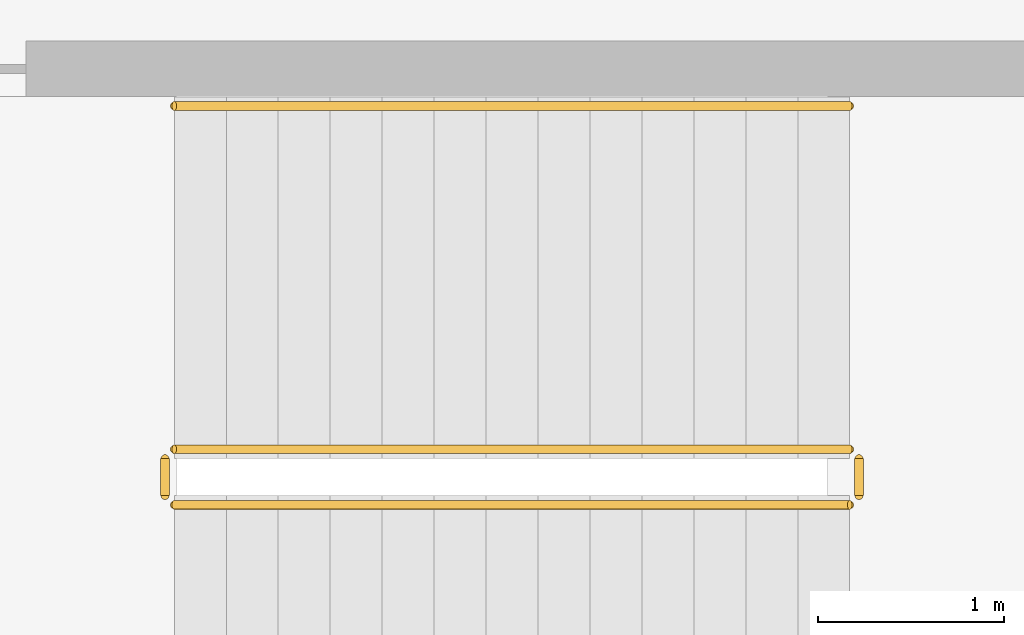
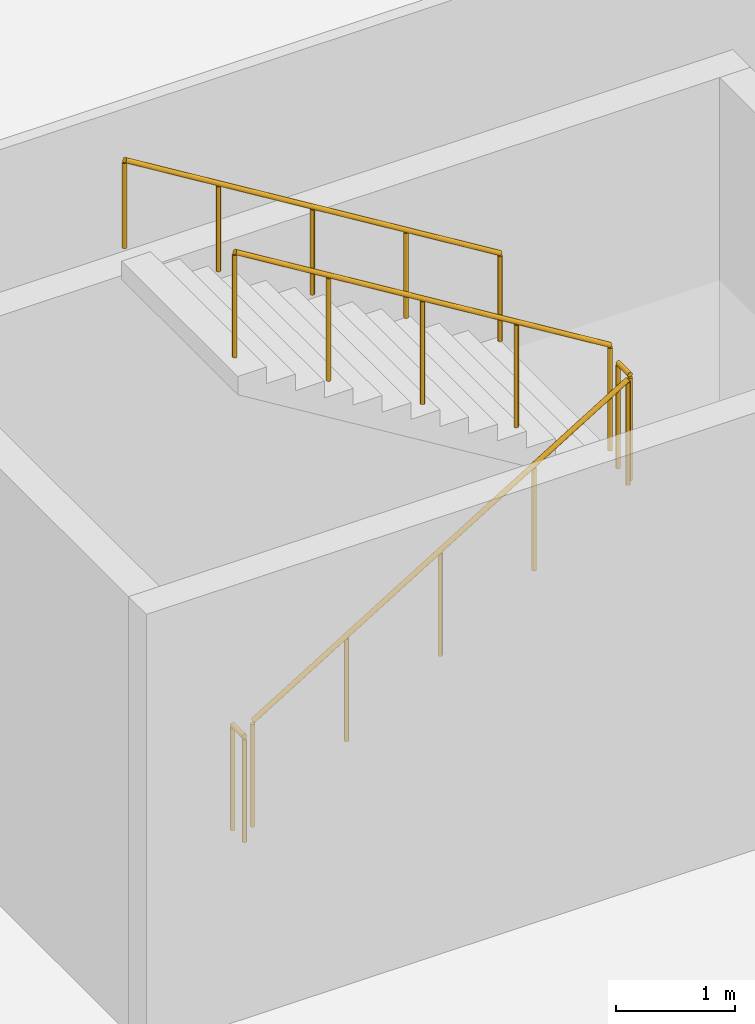
# One storey, part 173 of 177: 5 railings.
"""IFC4 building model written with IfcOpenShell, lengths in metres."""

import ifcopenshell
import ifcopenshell.guid

model = None  # the IFC model being written
_history = None  # IfcOwnerHistory: only IFC2X3 demands one
_inside = {}  # id of a spatial element -> (the spatial element, [elements in it])
_under = {}  # id of a project, library or spatial element -> (it, [spatial elements below it])
_declared = {}  # id of a project -> (the project, [libraries it declares])
_typed = {}  # id of a type object -> (the type object, [elements of that type])
_made_of = {}  # id of a material, layer set ... -> (it, [elements and type objects made of it])


def new_model(schema):
    """Start an empty IFC model of exactly this schema.

    Asked for "IFC4X3", IfcOpenShell would pick the latest addendum, in which some entities
    have other attributes; the version numbers below select the first issue.
    IFC2X3 requires an IfcOwnerHistory on every rooted entity: one is made here for all.
    """
    global model, _history
    if schema == "IFC4X3":
        model = ifcopenshell.file(schema_version=(4, 3, 0, 0))
    else:
        model = ifcopenshell.file(schema=schema)
    _inside.clear()
    _under.clear()
    _declared.clear()
    _typed.clear()
    _made_of.clear()
    _history = None
    if model.schema == "IFC2X3":
        org = make("IfcOrganization", Name="unknown")
        user = make(
            "IfcPersonAndOrganization",
            ThePerson=make("IfcPerson", FamilyName="unknown"),
            TheOrganization=org,
        )
        app = make(
            "IfcApplication",
            ApplicationDeveloper=org,
            Version="unknown",
            ApplicationFullName="unknown",
            ApplicationIdentifier="unknown",
        )
        _history = make(
            "IfcOwnerHistory",
            OwningUser=user,
            OwningApplication=app,
            ChangeAction="ADDED",
            CreationDate=0,
        )
    return model


def make(cls, **values):
    """One entity of the class cls with the attributes given. An attribute that is None is left unset."""
    return model.create_entity(
        cls, **{name: value for name, value in values.items() if value is not None}
    )


def rooted(cls, **values):
    """An entity with a GlobalId (a new one), such as an element, a storey or a relation."""
    return make(cls, GlobalId=ifcopenshell.guid.new(), OwnerHistory=_history, **values)


def si_unit(unit_type, name, prefix=None):
    """IfcSIUnit, for example si_unit("LENGTHUNIT", "METRE", prefix="MILLI")."""
    return make("IfcSIUnit", UnitType=unit_type, Prefix=prefix, Name=name)


def assignment(units):
    """IfcUnitAssignment: the units of a project."""
    return None if units is None else make("IfcUnitAssignment", Units=units)


def point(xyz):
    """IfcCartesianPoint."""
    return None if xyz is None else make("IfcCartesianPoint", Coordinates=xyz)


def direction(xyz):
    """IfcDirection."""
    return None if xyz is None else make("IfcDirection", DirectionRatios=xyz)


def frame(location, z_axis=None, x_axis=None):
    """IfcAxis2Placement3D, a coordinate frame: its origin and axes. An axis left out is left unset."""
    return make(
        "IfcAxis2Placement3D",
        Location=point(location),
        Axis=direction(z_axis),
        RefDirection=direction(x_axis),
    )


def frame_2d(location, x_axis=None):
    """IfcAxis2Placement2D, a coordinate frame in the plane: its origin and x axis."""
    return make(
        "IfcAxis2Placement2D", Location=point(location), RefDirection=direction(x_axis)
    )


def origin():
    """The frame at (0, 0, 0) with its axes left unset."""
    return frame((0.0, 0.0, 0.0))


def origin_2d():
    """The frame at (0, 0) in the plane with its x axis left unset."""
    return frame_2d((0.0, 0.0))


def place(relative_to, where):
    """IfcLocalPlacement: puts the frame where relative to a parent placement (None: the world)."""
    return make(
        "IfcLocalPlacement", PlacementRelTo=relative_to, RelativePlacement=where
    )


def context(
    kind, dimensions, precision=None, world=None, true_north=None, identifier=None
):
    """IfcGeometricRepresentationContext, for example the 3D "Model" context."""
    return make(
        "IfcGeometricRepresentationContext",
        ContextIdentifier=identifier,
        ContextType=kind,
        CoordinateSpaceDimension=dimensions,
        Precision=precision,
        WorldCoordinateSystem=world,
        TrueNorth=true_north,
    )


def subcontext(parent, identifier, kind, view, scale=None):
    """IfcGeometricRepresentationSubContext, for example "Body" below "Model"."""
    return make(
        "IfcGeometricRepresentationSubContext",
        ContextIdentifier=identifier,
        ContextType=kind,
        ParentContext=parent,
        TargetScale=scale,
        TargetView=view,
    )


def project(units=None, contexts=None):
    """IfcProject with its units and contexts."""
    return rooted(
        "IfcProject",
        Name="project",
        RepresentationContexts=contexts,
        UnitsInContext=assignment(units),
    )


def spatial(cls, under=None, at=None, **own):
    """A site, building, storey or space (cls), placed at a placement, below another one or the project."""
    s = rooted(cls, ObjectPlacement=at, **own)
    if under is not None:
        _under.setdefault(under.id(), (under, []))[1].append(s)
    return s


def profile(cls, at=None, kind="AREA", **sizes):
    """A parametric profile (cls). Its sizes go by their IFC names, for example OverallWidth=200.0."""
    return make(cls, ProfileType=kind, Position=at, **sizes)


def circle(**sizes):
    """IfcCircleProfileDef."""
    return profile("IfcCircleProfileDef", **sizes)


def extrude(swept, where, along, depth):
    """IfcExtrudedAreaSolid: the profile swept, set in the frame where, extruded along a direction by depth."""
    return make(
        "IfcExtrudedAreaSolid",
        SweptArea=swept,
        Position=where,
        ExtrudedDirection=direction(along),
        Depth=depth,
    )


def shape(context_of_items, identifier, shape_type, items):
    """IfcShapeRepresentation: the items that make up one representation, for example the "Body"."""
    return make(
        "IfcShapeRepresentation",
        ContextOfItems=context_of_items,
        RepresentationIdentifier=identifier,
        RepresentationType=shape_type,
        Items=items,
    )


def material(Name=None, Category=None):
    """IfcMaterial."""
    return make("IfcMaterial", Name=Name, Category=Category)


def layer(
    of_material, thickness, ventilated=None, Name=None, Category=None, Priority=None
):
    """IfcMaterialLayer: one layer of a wall or slab, of a material (None: an air gap)."""
    return make(
        "IfcMaterialLayer",
        Material=of_material,
        LayerThickness=thickness,
        IsVentilated=ventilated,
        Name=Name,
        Category=Category,
        Priority=Priority,
    )


def layer_set(layers, Name=None):
    """IfcMaterialLayerSet."""
    return make("IfcMaterialLayerSet", MaterialLayers=layers, LayerSetName=Name)


def made_of(thing, what):
    """Note that an element or type object is made of a material, layer set ...; save() writes the relation."""
    if what is not None:
        _made_of.setdefault(what.id(), (what, []))[1].append(thing)
    return thing


def type_object(cls, material=None, **own):
    """A type object (cls), such as IfcWallType, which elements share."""
    return made_of(rooted(cls, **own), material)


def element(
    cls,
    number,
    at=None,
    inside=None,
    cuts=None,
    type_object=None,
    material=None,
    context=None,
    identifier="Body",
    shape_type=None,
    held_by="IfcProductDefinitionShape",
    body=None,
    shapes=None,
    **own,
):
    """One element of the class cls, such as IfcWall. Its Tag is "e" and its number.

    at: its placement. inside: the storey or other place that contains it. cuts: it is an
    opening in that element (IfcRelVoidsElement). A single representation is given by context,
    identifier, shape_type and body (its items); several are given by shapes. held_by: the class
    of the entity that holds the representations. save() writes the other relations.
    """
    e = rooted(cls, Tag="e%d" % number, ObjectPlacement=at, **own)
    if body is not None:
        shapes = [shape(context, identifier, shape_type, body)]
    if shapes is not None:
        e.Representation = make(held_by, Representations=shapes)
    if inside is not None:
        _inside.setdefault(inside.id(), (inside, []))[1].append(e)
    if cuts is not None:
        rooted(
            "IfcRelVoidsElement", RelatingBuildingElement=cuts, RelatedOpeningElement=e
        )
    if type_object is not None:
        _typed.setdefault(type_object.id(), (type_object, []))[1].append(e)
    return made_of(e, material)


def aggregate(whole, parts):
    """IfcRelAggregates: a whole, such as a stair, and the parts it consists of."""
    return rooted("IfcRelAggregates", RelatingObject=whole, RelatedObjects=parts)


def save(model, path):
    """Write the relations noted so far, then the file.

    IfcRelAggregates (storeys below a building ...), IfcRelContainedInSpatialStructure (elements
    in a storey), IfcRelDefinesByType, IfcRelAssociatesMaterial and IfcRelDeclares: one each for
    every whole, place, type object, material and project.
    """
    for whole, parts in _under.values():
        aggregate(whole, parts)
    for where, things in _inside.values():
        rooted(
            "IfcRelContainedInSpatialStructure",
            RelatedElements=things,
            RelatingStructure=where,
        )
    for kind, things in _typed.values():
        rooted("IfcRelDefinesByType", RelatedObjects=things, RelatingType=kind)
    for what, things in _made_of.values():
        rooted("IfcRelAssociatesMaterial", RelatedObjects=things, RelatingMaterial=what)
    for by, libraries in _declared.values():
        rooted("IfcRelDeclares", RelatingContext=by, RelatedDefinitions=libraries)
    model.write(path)


model = new_model("IFC4")

# Units and contexts
model_context = context("Model", 3, precision=1e-05, world=origin(), true_north=direction((0.0, 1.0)))
body_context = subcontext(model_context, "Body", "Model", "MODEL_VIEW")
ifc_project = project(units=[si_unit("LENGTHUNIT", "METRE"), si_unit("AREAUNIT", "SQUARE_METRE"), si_unit("VOLUMEUNIT", "CUBIC_METRE"), si_unit("PLANEANGLEUNIT", "RADIAN"), si_unit("MASSUNIT", "GRAM", prefix="KILO")], contexts=[model_context])

# Site, building, storey
site_placement = place(None, origin())
site = spatial("IfcSite", under=ifc_project, at=site_placement, CompositionType="ELEMENT")
building_placement = place(site_placement, origin())
building = spatial("IfcBuilding", under=site, at=building_placement, Name="Chiffa Square Polytechnic", CompositionType="ELEMENT")
storey_placement = place(building_placement, frame((0.0, 0.0, 4.800048828125)))
storey = spatial("IfcBuildingStorey", under=building, at=storey_placement, Name="L01", CompositionType="ELEMENT", Elevation=4.800048828125)

# Railings
ifc_material = material(Name="Steel S355", Category="steel")
ifc_layer_1 = layer(ifc_material, 0.050048828125, Name="Steel S355")
ifc_layer_set_1 = layer_set([ifc_layer_1], Name="Steel S355")
railing_type_1 = type_object("IfcRailingType", Name="RL-STAIR-GUARD", PredefinedType="GUARDRAIL", material=ifc_layer_set_1)
railing_1_placement = place(storey_placement, frame((96.199951171875, 110.60009765625, 0.17138671875)))
element("IfcRailing", 1, at=railing_1_placement, inside=storey, type_object=railing_type_1, Name="L01 ST-V5B stair guard 1", PredefinedType="GUARDRAIL", context=body_context, shape_type="SweptSolid", body=[
    extrude(circle(Radius=0.02392578125, at=origin_2d()), frame((0.0, 0.0, 1.076171875), z_axis=(0.852865859571, 0.0, 0.52213008492), x_axis=(0.0, 1.0, 0.0)), (0.0, 0.0, 1.0), 4.26806640625),
    extrude(circle(Radius=0.02099609375, at=origin_2d()), origin(), (0.0, 0.0, 1.0), 1.052001953125),
    extrude(circle(Radius=0.02099609375, at=origin_2d()), frame((0.91015625, 0.0, 0.55712890625)), (0.0, 0.0, 1.0), 1.052001953125),
    extrude(circle(Radius=0.02099609375, at=origin_2d()), frame((1.820068359375, 0.0, 1.1142578125)), (0.0, 0.0, 1.0), 1.052001953125),
    extrude(circle(Radius=0.02099609375, at=origin_2d()), frame((2.72998046875, 0.0, 1.67138671875)), (0.0, 0.0, 1.0), 1.052001953125),
    extrude(circle(Radius=0.02099609375, at=origin_2d()), frame((3.64013671875, 0.0, 2.228515625)), (0.0, 0.0, 1.0), 1.052001953125),
])
railing_2_placement = place(storey_placement, frame((99.889892578125, 110.64990234375, 2.39990234375)))
element("IfcRailing", 2, at=railing_2_placement, inside=storey, type_object=railing_type_1, Name="L01 ST-V5B stair guard 2", PredefinedType="GUARDRAIL", context=body_context, shape_type="SweptSolid", body=[
    extrude(circle(Radius=0.02392578125, at=origin_2d()), frame((0.0, 0.0, 1.076171875), z_axis=(0.0, 1.0, 0.0), x_axis=(-1.0, 0.0, 0.0)), (0.0, 0.0, 1.0), 0.2001953125),
    extrude(circle(Radius=0.02099609375, at=origin_2d()), origin(), (0.0, 0.0, 1.0), 1.052001953125),
    extrude(circle(Radius=0.02099609375, at=origin_2d()), frame((0.0, 0.2001953125, 0.0)), (0.0, 0.0, 1.0), 1.052001953125),
])
railing_3_placement = place(storey_placement, frame((99.840087890625, 110.89990234375, 2.5712890625)))
element("IfcRailing", 3, at=railing_3_placement, inside=storey, type_object=railing_type_1, Name="L01 ST-V5B stair guard 3", PredefinedType="GUARDRAIL", context=body_context, shape_type="SweptSolid", body=[
    extrude(circle(Radius=0.02392578125, at=origin_2d()), frame((0.0, 0.0, 1.076171875), z_axis=(-0.852840387347, 0.0, 0.522171689878), x_axis=(0.0, -1.0, 0.0)), (0.0, 0.0, 1.0), 4.268310546875),
    extrude(circle(Radius=0.02099609375, at=origin_2d()), origin(), (0.0, 0.0, 1.0), 1.052001953125),
    extrude(circle(Radius=0.02099609375, at=origin_2d()), frame((-0.91015625, 0.0, 0.55712890625)), (0.0, 0.0, 1.0), 1.052001953125),
    extrude(circle(Radius=0.02099609375, at=origin_2d()), frame((-1.820068359375, 0.0, 1.1142578125)), (0.0, 0.0, 1.0), 1.052001953125),
    extrude(circle(Radius=0.02099609375, at=origin_2d()), frame((-2.72998046875, 0.0, 1.671630859375)), (0.0, 0.0, 1.0), 1.052001953125),
    extrude(circle(Radius=0.02099609375, at=origin_2d()), frame((-3.64013671875, 0.0, 2.228759765625)), (0.0, 0.0, 1.0), 1.052001953125),
])
railing_4_placement = place(storey_placement, frame((96.14990234375, 110.64990234375, 0.0)))
element("IfcRailing", 4, at=railing_4_placement, inside=storey, type_object=railing_type_1, Name="L01 ST-V5B stair guard 4", PredefinedType="GUARDRAIL", context=body_context, shape_type="SweptSolid", body=[
    extrude(circle(Radius=0.02392578125, at=origin_2d()), frame((0.0, 0.0, 1.076171875), z_axis=(0.0, 1.0, 0.0), x_axis=(-1.0, 0.0, 0.0)), (0.0, 0.0, 1.0), 0.2001953125),
    extrude(circle(Radius=0.02099609375, at=origin_2d()), origin(), (0.0, 0.0, 1.0), 1.052001953125),
    extrude(circle(Radius=0.02099609375, at=origin_2d()), frame((0.0, 0.2001953125, 0.0)), (0.0, 0.0, 1.0), 1.052001953125),
])
ifc_layer_2 = layer(ifc_material, 0.044921875, Name="Steel S355")
ifc_layer_set_2 = layer_set([ifc_layer_2], Name="Steel S355")
railing_type_2 = type_object("IfcRailingType", Name="RL-STAIR-HAND", PredefinedType="HANDRAIL", material=ifc_layer_set_2)
railing_5_placement = place(storey_placement, frame((99.840087890625, 112.75, 2.5712890625)))
element("IfcRailing", 5, at=railing_5_placement, inside=storey, type_object=railing_type_2, Name="L01 ST-V5B stair handrail 2", PredefinedType="HANDRAIL", context=body_context, shape_type="SweptSolid", body=[
    extrude(circle(Radius=0.02392578125, at=origin_2d()), frame((0.0, 0.0, 0.89599609375), z_axis=(-0.852840387347, 0.0, 0.522171689878), x_axis=(0.0, -1.0, 0.0)), (0.0, 0.0, 1.0), 4.268310546875),
    extrude(circle(Radius=0.02099609375, at=origin_2d()), origin(), (0.0, 0.0, 1.0), 0.871826171875),
    extrude(circle(Radius=0.02099609375, at=origin_2d()), frame((-0.91015625, 0.0, 0.55712890625)), (0.0, 0.0, 1.0), 0.871826171875),
    extrude(circle(Radius=0.02099609375, at=origin_2d()), frame((-1.820068359375, 0.0, 1.1142578125)), (0.0, 0.0, 1.0), 0.871826171875),
    extrude(circle(Radius=0.02099609375, at=origin_2d()), frame((-2.72998046875, 0.0, 1.671630859375)), (0.0, 0.0, 1.0), 0.871826171875),
    extrude(circle(Radius=0.02099609375, at=origin_2d()), frame((-3.64013671875, 0.0, 2.228759765625)), (0.0, 0.0, 1.0), 0.871826171875),
])

save(model, "model.ifc")
